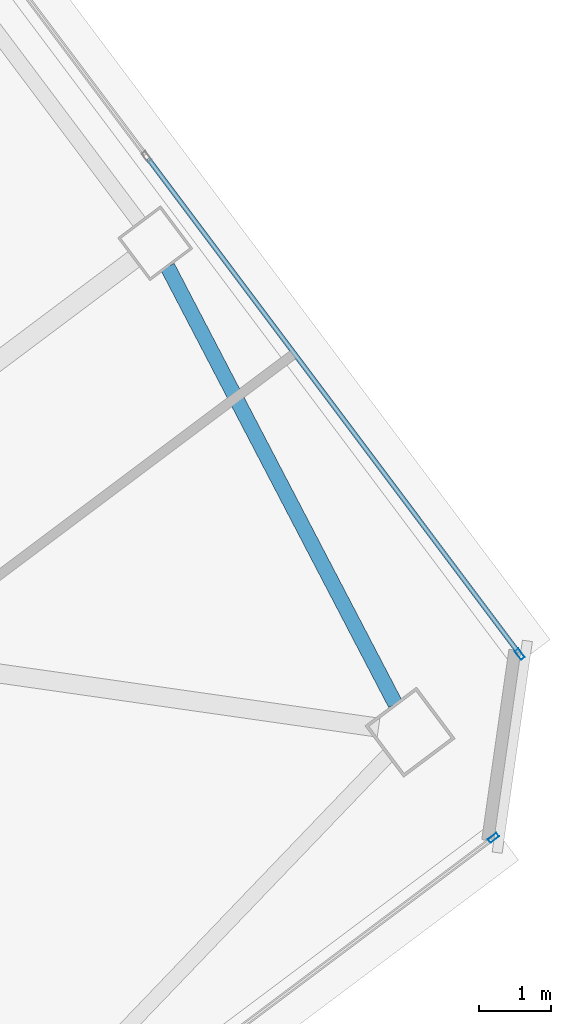
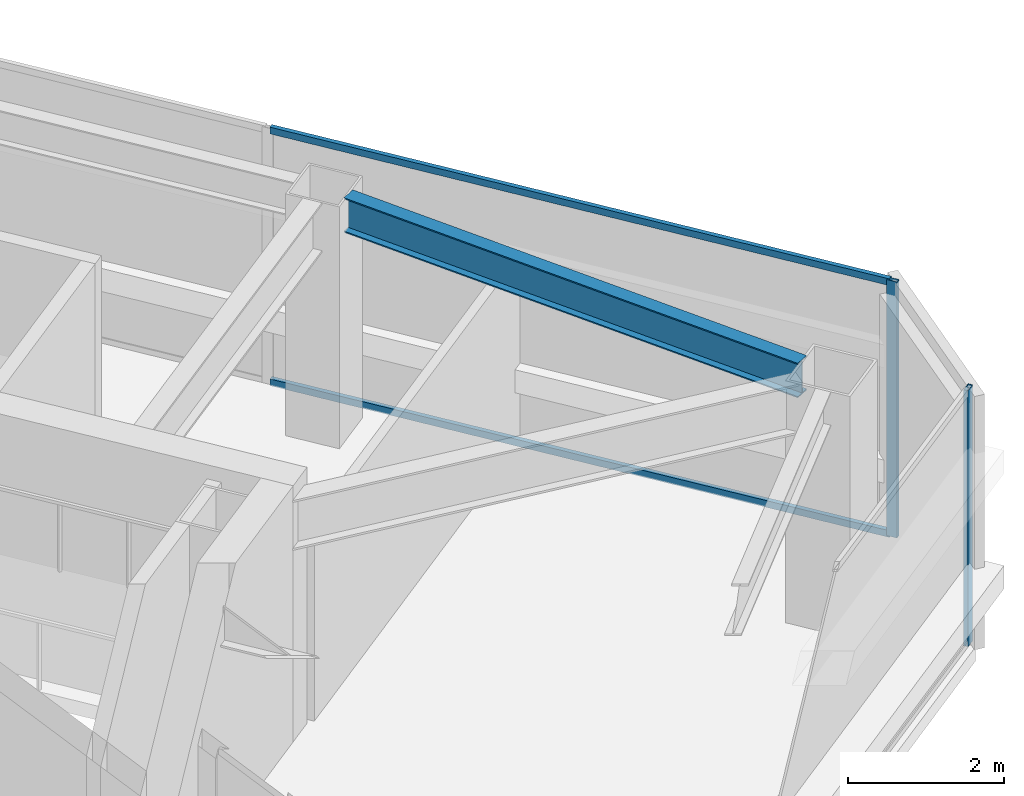
# One storey, part 40 of 53: 4 members, 1 beam, 2 elements without a shape of their own.
"""IFC4 building model written with IfcOpenShell, lengths in metres."""

from ifc_helpers import new_model, si_unit, direction, frame, origin, origin_2d, place, context, subcontext, project, spatial, hollow_rectangle, i_section, extrude, material, material_profile, profile_set, type_object, element, aggregate, save


model = new_model("IFC4")

# Units and contexts
model_context = context("Model", 3, precision=1e-05, world=origin(), true_north=direction((0.0, 1.0)))
body_context = subcontext(model_context, "Body", "Model", "MODEL_VIEW")
ifc_project = project(units=[si_unit("LENGTHUNIT", "METRE"), si_unit("AREAUNIT", "SQUARE_METRE"), si_unit("VOLUMEUNIT", "CUBIC_METRE"), si_unit("PLANEANGLEUNIT", "RADIAN"), si_unit("MASSUNIT", "GRAM", prefix="KILO")], contexts=[model_context])

# Site, building, storey
site_placement = place(None, origin())
site = spatial("IfcSite", under=ifc_project, at=site_placement, CompositionType="ELEMENT")
building_placement = place(site_placement, origin())
building = spatial("IfcBuilding", under=site, at=building_placement, Name="Tashvorn Skyway Center", CompositionType="ELEMENT")
storey_placement = place(building_placement, frame((0.0, 0.0, 255.39990234375)))
storey = spatial("IfcBuildingStorey", under=building, at=storey_placement, Name="L69", CompositionType="ELEMENT", Elevation=255.39990234375)

# Beam
ifc_material_1 = material(Name="Steel ASTM A992 Grade 50", Category="steel")
ifc_material_profile_1 = material_profile(ifc_material_1, i_section(OverallWidth=0.2109375, OverallDepth=0.5390625, WebThickness=0.01171875, FlangeThickness=0.018798828125, at=origin_2d()), Name="W21X73")
ifc_profile_set_1 = profile_set([ifc_material_profile_1], Name="Steel ASTM A992 Grade 50")
beam_type = type_object("IfcBeamType", Name="BM-SPANDREL-W21X73", PredefinedType="SPANDREL", material=ifc_profile_set_1)
beam_placement = place(storey_placement, frame((131.994384765625, 29.794677734375, 3.510498046875), z_axis=(-0.462223120187, 0.886763659136, 0.0), x_axis=(-0.886763659136, -0.462223120187, 0.0)))
element("IfcBeam", 1, at=beam_placement, inside=storey, type_object=beam_type, Name="Tower 2 L69 Spandrel Beam 04", PredefinedType="SPANDREL", context=body_context, shape_type="SweptSolid", body=[
    extrude(i_section(OverallWidth=0.2109375, OverallDepth=0.5390625, WebThickness=0.01171875, FlangeThickness=0.018798828125, at=origin_2d()), origin(), (0.0, 0.0, 1.0), 6.886962890625),
])

# Curtain wall, member
ifc_material_2 = material(Name="Thermally broken bronze-anodized aluminium 6063-T6", Category="aluminium")
curtain_wall_type = type_object("IfcCurtainWallType", Name="CW-CW-SKY", PredefinedType="NOTDEFINED", material=ifc_material_2)
curtain_wall_1_placement = place(storey_placement, origin())
curtain_wall_1 = element("IfcCurtainWall", 2, at=curtain_wall_1_placement, inside=storey, type_object=curtain_wall_type, Name="Tower 2 L69 South Unitised Curtain Wall", PredefinedType="NOTDEFINED")
ifc_material_profile_2 = material_profile(ifc_material_2, hollow_rectangle(XDim=0.06494140625, YDim=0.14990234375, WallThickness=0.00390625, at=origin_2d()), Name="ALU-MULL-65x150")
ifc_profile_set_2 = profile_set([ifc_material_profile_2], Name="Thermally broken bronze-anodized aluminium 6063-T6")
member_type_1 = type_object("IfcMemberType", Name="CWM-CW-SKY", PredefinedType="MULLION", material=ifc_profile_set_2)
member_1_placement = place(storey_placement, frame((133.365966796875, 27.924560546875, 0.0), z_axis=(0.0, 0.0, 1.0), x_axis=(0.600000000002, -0.799999999998, 0.0)))
member_1 = element("IfcMember", 3, at=member_1_placement, type_object=member_type_1, Name="CW-SKY mullion 1", PredefinedType="MULLION", context=body_context, shape_type="SweptSolid", body=[
    extrude(hollow_rectangle(XDim=0.06494140625, YDim=0.14990234375, WallThickness=0.00390625, at=origin_2d()), origin(), (0.0, 0.0, 1.0), 4.0),
])
aggregate(curtain_wall_1, [member_1])

# Curtain wall, members
curtain_wall_2_placement = place(storey_placement, origin())
curtain_wall_2 = element("IfcCurtainWall", 4, at=curtain_wall_2_placement, inside=storey, type_object=curtain_wall_type, Name="Tower 2 L69 East Unitised Curtain Wall", PredefinedType="NOTDEFINED")
member_2_placement = place(storey_placement, frame((133.732421875, 30.489990234375, 0.0), z_axis=(0.0, 0.0, 1.0), x_axis=(0.799999999998, 0.600000000002, 0.0)))
member_2 = element("IfcMember", 5, at=member_2_placement, type_object=member_type_1, Name="CW-SKY mullion 4", PredefinedType="MULLION", context=body_context, shape_type="SweptSolid", body=[
    extrude(hollow_rectangle(XDim=0.06494140625, YDim=0.14990234375, WallThickness=0.00390625, at=origin_2d()), origin(), (0.0, 0.0, 1.0), 4.0),
])
ifc_material_profile_3 = material_profile(ifc_material_2, hollow_rectangle(XDim=0.06494140625, YDim=0.10498046875, WallThickness=0.00390625, at=origin_2d()), Name="ALU-TRAN-65x105")
ifc_profile_set_3 = profile_set([ifc_material_profile_3], Name="Thermally broken bronze-anodized aluminium 6063-T6")
member_type_2 = type_object("IfcMemberType", Name="CWT-CW-SKY", PredefinedType="USERDEFINED", material=ifc_profile_set_3)
member_3_placement = place(storey_placement, frame((128.53955078125, 37.4140625, 0.03271484375), z_axis=(0.599990939221, -0.800006795504, 0.0), x_axis=(0.800006795504, 0.599990939221, 0.0)))
member_3 = element("IfcMember", 6, at=member_3_placement, type_object=member_type_2, Name="CW-SKY transom 3.1", ObjectType="TRANSOM", PredefinedType="USERDEFINED", context=body_context, shape_type="SweptSolid", body=[
    extrude(hollow_rectangle(XDim=0.06494140625, YDim=0.10498046875, WallThickness=0.00390625, at=origin_2d()), origin(), (0.0, 0.0, 1.0), 8.622314453125),
])
member_4_placement = place(storey_placement, frame((128.53955078125, 37.4140625, 3.967529296875), z_axis=(0.599990939221, -0.800006795504, 0.0), x_axis=(0.800006795504, 0.599990939221, 0.0)))
member_4 = element("IfcMember", 7, at=member_4_placement, type_object=member_type_2, Name="CW-SKY transom 3.2", ObjectType="TRANSOM", PredefinedType="USERDEFINED", context=body_context, shape_type="SweptSolid", body=[
    extrude(hollow_rectangle(XDim=0.06494140625, YDim=0.10498046875, WallThickness=0.00390625, at=origin_2d()), origin(), (0.0, 0.0, 1.0), 8.622314453125),
])
aggregate(curtain_wall_2, [member_2, member_3, member_4])

save(model, "model.ifc")
